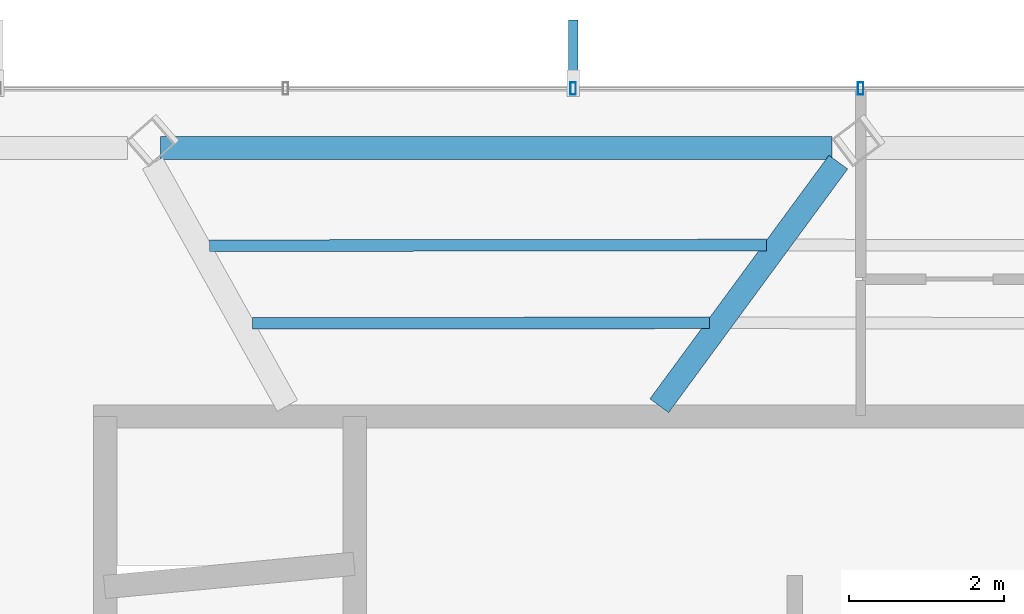
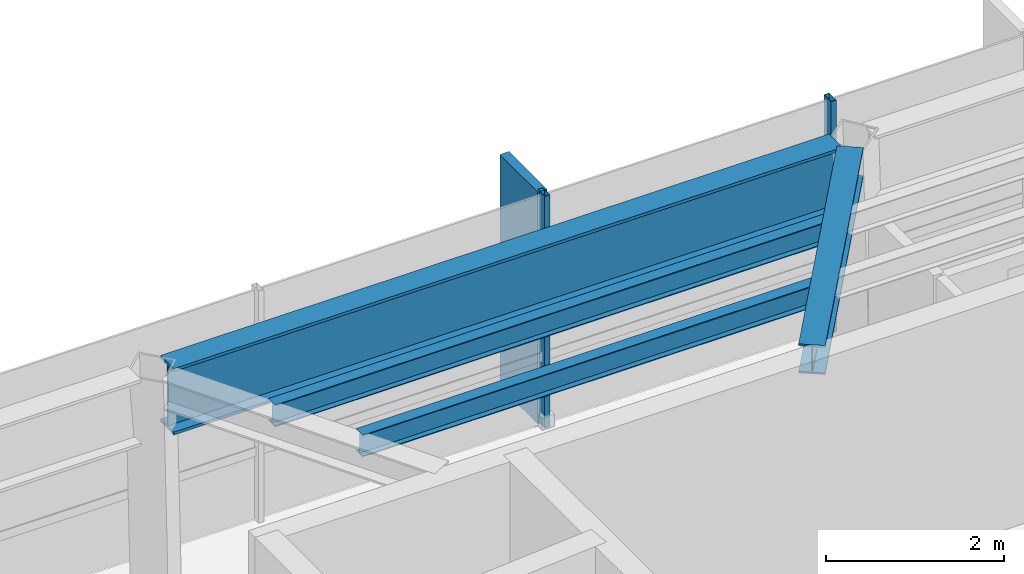
# One storey, part 10 of 21: 4 beams, 3 members, 1 element without a shape of its own.
"""IFC4 building model written with IfcOpenShell, lengths in metres."""

from ifc_helpers import new_model, si_unit, direction, frame, origin, origin_2d, place, context, subcontext, project, spatial, rectangle, hollow_rectangle, i_section, extrude, material, layer, layer_set, material_profile, profile_set, type_object, element, aggregate, save


model = new_model("IFC4")

# Units and contexts
model_context = context("Model", 3, precision=1e-05, world=origin(), true_north=direction((0.0, 1.0)))
body_context = subcontext(model_context, "Body", "Model", "MODEL_VIEW")
ifc_project = project(units=[si_unit("LENGTHUNIT", "METRE"), si_unit("AREAUNIT", "SQUARE_METRE"), si_unit("VOLUMEUNIT", "CUBIC_METRE"), si_unit("PLANEANGLEUNIT", "RADIAN"), si_unit("MASSUNIT", "GRAM", prefix="KILO")], contexts=[model_context])

# Site, building, storey
site_placement = place(None, origin())
site = spatial("IfcSite", under=ifc_project, at=site_placement, CompositionType="ELEMENT")
building_placement = place(site_placement, origin())
building = spatial("IfcBuilding", under=site, at=building_placement, Name="Zarrinselat Tower", CompositionType="ELEMENT")
storey_placement = place(building_placement, frame((0.0, 0.0, 285.60009765625)))
storey = spatial("IfcBuildingStorey", under=building, at=storey_placement, Name="L73", CompositionType="ELEMENT", Elevation=285.60009765625)

# Beams
ifc_material_1 = material(Name="Steel S355J2", Category="steel")
ifc_material_profile_1 = material_profile(ifc_material_1, i_section(OverallWidth=0.300048828125, OverallDepth=0.39990234375, WebThickness=0.013427734375, FlangeThickness=0.02392578125, at=origin_2d()), Name="HEB 400")
ifc_profile_set_1 = profile_set([ifc_material_profile_1], Name="Steel S355J2")
beam_type_1 = type_object("IfcBeamType", Name="BM-HEB400", PredefinedType="BEAM", material=ifc_profile_set_1)
beam_1_placement = place(storey_placement, frame((35.800048828125, 43.5400390625, 2.97998046875), z_axis=(0.592293691828, 0.805722149764, 0.0), x_axis=(-0.805722149764, 0.592293691828, 0.0)))
element("IfcBeam", 1, at=beam_1_placement, inside=storey, type_object=beam_type_1, Name="L73 Radial Primary Girder RG03", PredefinedType="BEAM", context=body_context, shape_type="SweptSolid", body=[
    extrude(i_section(OverallWidth=0.300048828125, OverallDepth=0.39990234375, WebThickness=0.013427734375, FlangeThickness=0.02392578125, at=origin_2d()), origin(), (0.0, 0.0, 1.0), 3.90185546875),
])
ifc_material_2 = material(Name="Steel S460M", Category="steel")
ifc_material_profile_2 = material_profile(ifc_material_2, i_section(OverallWidth=0.302001953125, OverallDepth=0.909912109375, WebThickness=0.02099609375, FlangeThickness=0.0400390625, at=origin_2d()), Name="HEM 900")
ifc_profile_set_2 = profile_set([ifc_material_profile_2], Name="Steel S460M")
beam_type_2 = type_object("IfcBeamType", Name="BM-HEM900", PredefinedType="BEAM", material=ifc_profile_set_2)
beam_2_placement = place(storey_placement, frame((29.36328125, 46.86669921875, 2.724853515625), z_axis=(1.0, 0.0, 0.0), x_axis=(0.0, 1.0, 0.0)))
element("IfcBeam", 2, at=beam_2_placement, inside=storey, type_object=beam_type_2, Name="L73 Perimeter Spandrel Girder SP03", PredefinedType="BEAM", context=body_context, shape_type="SweptSolid", body=[
    extrude(i_section(OverallWidth=0.302001953125, OverallDepth=0.909912109375, WebThickness=0.02099609375, FlangeThickness=0.0400390625, at=origin_2d()), origin(), (0.0, 0.0, 1.0), 8.669189453125),
])
ifc_material_3 = material(Name="Steel S355J2", Category="steel")
ifc_material_profile_3 = material_profile(ifc_material_3, i_section(OverallWidth=0.14990234375, OverallDepth=0.300048828125, WebThickness=0.007080078125, FlangeThickness=0.0107421875, at=origin_2d()), Name="IPE 300")
ifc_profile_set_3 = profile_set([ifc_material_profile_3], Name="Steel S355J2")
beam_type_3 = type_object("IfcBeamType", Name="BM-IPE300", PredefinedType="JOIST", material=ifc_profile_set_3)
beam_3_placement = place(storey_placement, frame((29.991943359375, 45.60498046875, 3.02978515625), z_axis=(0.999999078477, 0.001357587671, 0.0), x_axis=(-0.001357587671, 0.999999078477, 0.0)))
element("IfcBeam", 3, at=beam_3_placement, inside=storey, type_object=beam_type_3, Name="L73 Composite Floor Joist 8-1", PredefinedType="JOIST", context=body_context, shape_type="SweptSolid", body=[
    extrude(i_section(OverallWidth=0.14990234375, OverallDepth=0.300048828125, WebThickness=0.007080078125, FlangeThickness=0.0107421875, at=origin_2d()), origin(), (0.0, 0.0, 1.0), 7.193359375),
])
beam_4_placement = place(storey_placement, frame((30.548583984375, 44.603759765625, 3.02978515625), z_axis=(0.999999622085, 0.000869384892, 0.0), x_axis=(-0.000869384892, 0.999999622085, 0.0)))
element("IfcBeam", 4, at=beam_4_placement, inside=storey, type_object=beam_type_3, Name="L73 Composite Floor Joist 8-2", PredefinedType="JOIST", context=body_context, shape_type="SweptSolid", body=[
    extrude(i_section(OverallWidth=0.14990234375, OverallDepth=0.300048828125, WebThickness=0.007080078125, FlangeThickness=0.0107421875, at=origin_2d()), origin(), (0.0, 0.0, 1.0), 5.897216796875),
])

# Curtain wall, members
ifc_material_4 = material(Name="Extruded Aluminium Alloy EN AW-6063 T6", Category="aluminium")
ifc_layer = layer(ifc_material_4, 0.169921875)
ifc_layer_set = layer_set([ifc_layer], Name="Extruded Aluminium Alloy EN AW-6063 T6")
curtain_wall_type = type_object("IfcCurtainWallType", Name="CWS-RES", PredefinedType="NOTDEFINED", material=ifc_layer_set)
curtain_wall_placement = place(storey_placement, origin())
curtain_wall = element("IfcCurtainWall", 5, at=curtain_wall_placement, inside=storey, type_object=curtain_wall_type, Name="L73 Unitised Curtain Wall CW-L73-E01", PredefinedType="NOTDEFINED")
ifc_material_5 = material(Name="Extruded Aluminium Alloy EN AW-6063 T6", Category="aluminium")
ifc_material_profile_4 = material_profile(ifc_material_5, hollow_rectangle(XDim=0.070068359375, YDim=0.159912109375, WallThickness=0.00390625, at=origin_2d()), Name="RHS 160x70x4")
ifc_profile_set_4 = profile_set([ifc_material_profile_4], Name="Extruded Aluminium Alloy EN AW-6063 T6")
member_type_1 = type_object("IfcMemberType", Name="MEM-CW-MUL2", PredefinedType="MULLION", material=ifc_profile_set_4)
member_1_placement = place(storey_placement, frame((38.39990234375, 47.63330078125, 0.0), z_axis=(0.0, 0.0, 1.0), x_axis=(-1.0, 0.0, 0.0)))
member_1 = element("IfcMember", 6, at=member_1_placement, type_object=member_type_1, Name="CW-L73-E01 Mullion 8", PredefinedType="MULLION", context=body_context, shape_type="SweptSolid", body=[
    extrude(hollow_rectangle(XDim=0.070068359375, YDim=0.159912109375, WallThickness=0.00390625, at=origin_2d()), origin(), (0.0, 0.0, 1.0), 3.179931640625),
])
member_2_placement = place(storey_placement, frame((34.68798828125, 47.63330078125, 0.0), z_axis=(0.0, 0.0, 1.0), x_axis=(-1.0, 0.0, 0.0)))
member_2 = element("IfcMember", 7, at=member_2_placement, type_object=member_type_1, Name="CW-L73-E01 Mullion 9", PredefinedType="MULLION", context=body_context, shape_type="SweptSolid", body=[
    extrude(hollow_rectangle(XDim=0.070068359375, YDim=0.159912109375, WallThickness=0.00390625, at=origin_2d()), origin(), (0.0, 0.0, 1.0), 3.179931640625),
])
ifc_material_6 = material(Name="Honed Cream Travertine Stone", Category="masonry")
ifc_material_profile_5 = material_profile(ifc_material_6, rectangle(XDim=0.1201171875, YDim=0.85009765625, at=origin_2d()), Name="FIN 850x120")
ifc_profile_set_5 = profile_set([ifc_material_profile_5], Name="Honed Cream Travertine Stone")
member_type_2 = type_object("IfcMemberType", Name="MEM-STONE-FIN", PredefinedType="USERDEFINED", material=ifc_profile_set_5)
member_3_placement = place(storey_placement, frame((34.68798828125, 48.09326171875, 0.0), z_axis=(0.0, 0.0, 1.0), x_axis=(1.0, 0.0, 0.0)))
member_3 = element("IfcMember", 8, at=member_3_placement, type_object=member_type_2, Name="L73 Stone Shading Fin CW-L73-E01-09", ObjectType="FIN", PredefinedType="USERDEFINED", context=body_context, shape_type="SweptSolid", body=[
    extrude(rectangle(XDim=0.1201171875, YDim=0.85009765625, at=origin_2d()), origin(), (0.0, 0.0, 1.0), 3.179931640625),
])
aggregate(curtain_wall, [member_1, member_2, member_3])

save(model, "model.ifc")
